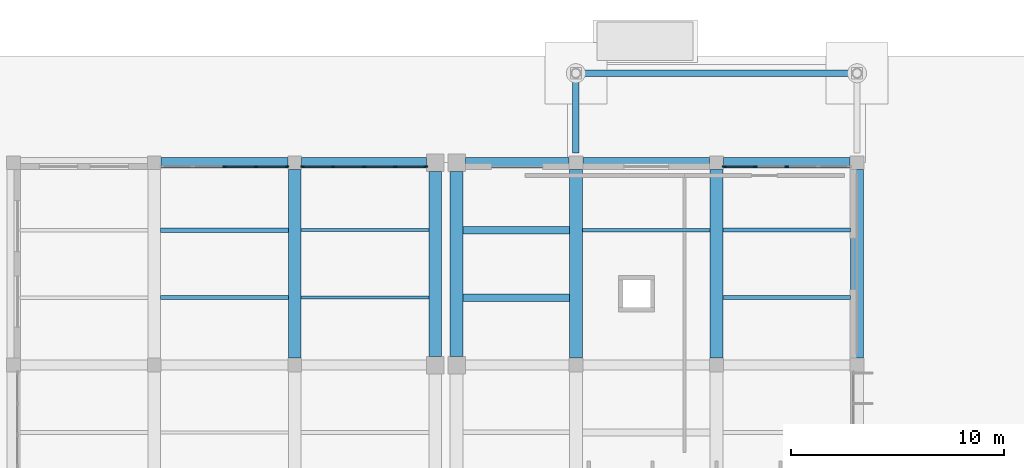
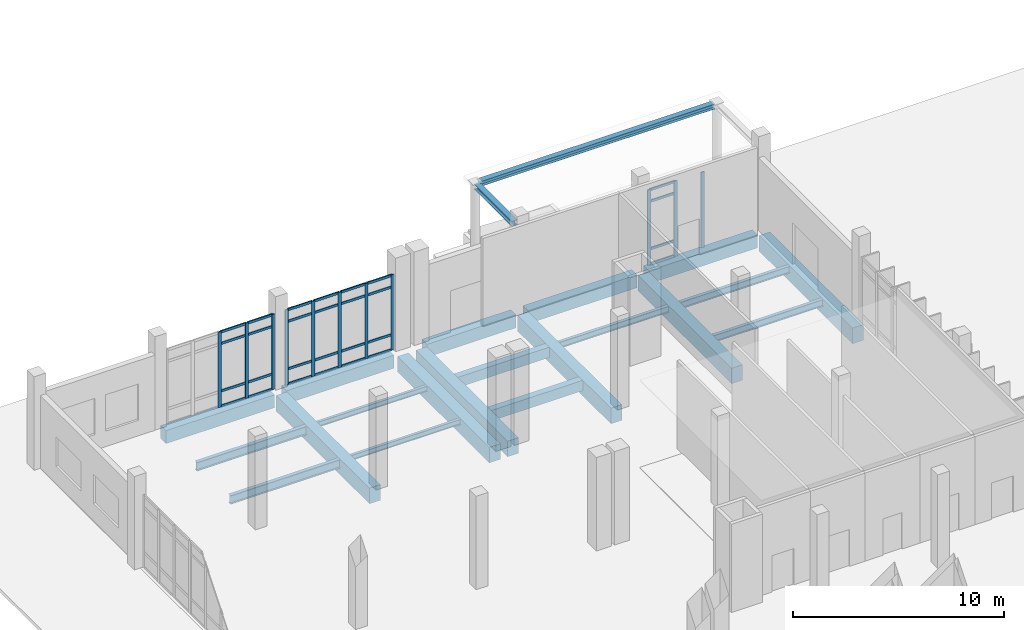
# One storey, part 33 of 79: 39 members, 22 beams, 3 elements without a shape of their own.
"""IFC4 building model written with IfcOpenShell, lengths in metres."""

from ifc_helpers import new_model, si_unit, direction, frame, origin, origin_2d, place, context, subcontext, project, spatial, rectangle, i_section, extrude, material, layer, layer_set, material_profile, profile_set, type_object, element, aggregate, save


model = new_model("IFC4")

# Units and contexts
model_context = context("Model", 3, precision=1e-05, world=origin(), true_north=direction((0.0, 1.0)))
body_context = subcontext(model_context, "Body", "Model", "MODEL_VIEW")
ifc_project = project(units=[si_unit("LENGTHUNIT", "METRE"), si_unit("AREAUNIT", "SQUARE_METRE"), si_unit("VOLUMEUNIT", "CUBIC_METRE"), si_unit("PLANEANGLEUNIT", "RADIAN"), si_unit("MASSUNIT", "GRAM", prefix="KILO")], contexts=[model_context])

# Site, building, storey
site_placement = place(None, origin())
site = spatial("IfcSite", under=ifc_project, at=site_placement, CompositionType="ELEMENT")
building_placement = place(site_placement, origin())
building = spatial("IfcBuilding", under=site, at=building_placement, Name="Kelarvand Opera House", CompositionType="ELEMENT")
storey_placement = place(building_placement, origin())
storey = spatial("IfcBuildingStorey", under=building, at=storey_placement, Name="L00", CompositionType="ELEMENT", Elevation=0.0)

# Curtain wall, members
ifc_material_1 = material(Name="Thermally broken aluminium and low-E glazing", Category="aluminium")
ifc_layer_1 = layer(ifc_material_1, 0.179931640625, Name="Thermally broken aluminium and low-E glazing", Category="aluminium")
ifc_layer_set_1 = layer_set([ifc_layer_1], Name="Thermally broken aluminium and low-E glazing")
curtain_wall_type_1 = type_object("IfcCurtainWallType", Name="Unitised Low-E Curtain Wall 5930x4350 Mod 1450 CWF-39", PredefinedType="USERDEFINED", material=ifc_layer_set_1)
curtain_wall_1_placement = place(storey_placement, origin())
curtain_wall_1 = element("IfcCurtainWall", 1, at=curtain_wall_1_placement, inside=storey, type_object=curtain_wall_type_1, Name="V5 L00 Curtain Wall CWF-39 (167)", ObjectType="UNITISED CURTAIN WALL", PredefinedType="USERDEFINED")
ifc_material_2 = material(Name="Thermally broken anodised aluminium", Category="aluminium")
ifc_material_profile_1 = material_profile(ifc_material_2, rectangle(XDim=0.06494140625, YDim=0.179931640625, at=origin_2d()), Name="ALU MULLION 65x180", Category="aluminium")
ifc_profile_set_1 = profile_set([ifc_material_profile_1], Name="Thermally broken anodised aluminium")
member_type_1 = type_object("IfcMemberType", Name="Curtain Wall Mullion 65x180 Aluminium", PredefinedType="MULLION", material=ifc_profile_set_1)
member_1_placement = place(storey_placement, frame((105.5, 124.820068359375, 0.0), z_axis=(0.0, 0.0, 1.0), x_axis=(0.0, 1.0, 0.0)))
member_1 = element("IfcMember", 2, at=member_1_placement, type_object=member_type_1, Name="CWF-39 mullion 3", PredefinedType="MULLION", context=body_context, shape_type="SweptSolid", body=[
    extrude(rectangle(XDim=0.06494140625, YDim=0.179931640625, at=origin_2d()), origin(), (0.0, 0.0, 1.0), 4.35009765625),
])
member_2_placement = place(storey_placement, frame((106.982421875, 124.820068359375, 0.0), z_axis=(0.0, 0.0, 1.0), x_axis=(0.0, 1.0, 0.0)))
member_2 = element("IfcMember", 3, at=member_2_placement, type_object=member_type_1, Name="CWF-39 mullion 4", PredefinedType="MULLION", context=body_context, shape_type="SweptSolid", body=[
    extrude(rectangle(XDim=0.06494140625, YDim=0.179931640625, at=origin_2d()), origin(), (0.0, 0.0, 1.0), 4.35009765625),
])
member_3_placement = place(storey_placement, frame((108.4326171875, 124.820068359375, 0.0), z_axis=(0.0, 0.0, 1.0), x_axis=(0.0, 1.0, 0.0)))
member_3 = element("IfcMember", 4, at=member_3_placement, type_object=member_type_1, Name="CWF-39 mullion 5", PredefinedType="MULLION", context=body_context, shape_type="SweptSolid", body=[
    extrude(rectangle(XDim=0.06494140625, YDim=0.179931640625, at=origin_2d()), origin(), (0.0, 0.0, 1.0), 4.35009765625),
])

ifc_layer_2 = layer(ifc_material_1, 0.179931640625, Name="Thermally broken aluminium and low-E glazing", Category="aluminium")
ifc_layer_set_2 = layer_set([ifc_layer_2], Name="Thermally broken aluminium and low-E glazing")
curtain_wall_type_2 = type_object("IfcCurtainWallType", Name="Unitised Low-E Curtain Wall 5845x4350 Mod 1450 CWF-40", PredefinedType="USERDEFINED", material=ifc_layer_set_2)
curtain_wall_2_placement = place(storey_placement, origin())
curtain_wall_2 = element("IfcCurtainWall", 5, at=curtain_wall_2_placement, inside=storey, type_object=curtain_wall_type_2, Name="V5 L00 Curtain Wall CWF-40 (168)", ObjectType="UNITISED CURTAIN WALL", PredefinedType="USERDEFINED")
member_4_placement = place(storey_placement, frame((109.16748046875, 124.820068359375, 0.0), z_axis=(0.0, 0.0, 1.0), x_axis=(0.0, 1.0, 0.0)))
member_4 = element("IfcMember", 6, at=member_4_placement, type_object=member_type_1, Name="CWF-40 mullion 1", PredefinedType="MULLION", context=body_context, shape_type="SweptSolid", body=[
    extrude(rectangle(XDim=0.06494140625, YDim=0.179931640625, at=origin_2d()), origin(), (0.0, 0.0, 1.0), 4.35009765625),
])
member_5_placement = place(storey_placement, frame((110.59619140625, 124.820068359375, 0.0), z_axis=(0.0, 0.0, 1.0), x_axis=(0.0, 1.0, 0.0)))
member_5 = element("IfcMember", 7, at=member_5_placement, type_object=member_type_1, Name="CWF-40 mullion 2", PredefinedType="MULLION", context=body_context, shape_type="SweptSolid", body=[
    extrude(rectangle(XDim=0.06494140625, YDim=0.179931640625, at=origin_2d()), origin(), (0.0, 0.0, 1.0), 4.35009765625),
])
member_6_placement = place(storey_placement, frame((112.0576171875, 124.820068359375, 0.0), z_axis=(0.0, 0.0, 1.0), x_axis=(0.0, 1.0, 0.0)))
member_6 = element("IfcMember", 8, at=member_6_placement, type_object=member_type_1, Name="CWF-40 mullion 3", PredefinedType="MULLION", context=body_context, shape_type="SweptSolid", body=[
    extrude(rectangle(XDim=0.06494140625, YDim=0.179931640625, at=origin_2d()), origin(), (0.0, 0.0, 1.0), 4.35009765625),
])
member_7_placement = place(storey_placement, frame((113.518798828125, 124.820068359375, 0.0), z_axis=(0.0, 0.0, 1.0), x_axis=(0.0, 1.0, 0.0)))
member_7 = element("IfcMember", 9, at=member_7_placement, type_object=member_type_1, Name="CWF-40 mullion 4", PredefinedType="MULLION", context=body_context, shape_type="SweptSolid", body=[
    extrude(rectangle(XDim=0.06494140625, YDim=0.179931640625, at=origin_2d()), origin(), (0.0, 0.0, 1.0), 4.35009765625),
])
member_8_placement = place(storey_placement, frame((114.947509765625, 124.820068359375, 0.0), z_axis=(0.0, 0.0, 1.0), x_axis=(0.0, 1.0, 0.0)))
member_8 = element("IfcMember", 10, at=member_8_placement, type_object=member_type_1, Name="CWF-40 mullion 5", PredefinedType="MULLION", context=body_context, shape_type="SweptSolid", body=[
    extrude(rectangle(XDim=0.06494140625, YDim=0.179931640625, at=origin_2d()), origin(), (0.0, 0.0, 1.0), 4.35009765625),
])

curtain_wall_3_placement = place(storey_placement, origin())
curtain_wall_3 = element("IfcCurtainWall", 11, at=curtain_wall_3_placement, inside=storey, type_object=curtain_wall_type_1, Name="V5 L00 Curtain Wall CWF-39 (169)", ObjectType="UNITISED CURTAIN WALL", PredefinedType="USERDEFINED")
member_9_placement = place(storey_placement, frame((128.967529296875, 124.820068359375, 0.0), z_axis=(0.0, 0.0, 1.0), x_axis=(0.0, 1.0, 0.0)))
member_9 = element("IfcMember", 12, at=member_9_placement, type_object=member_type_1, Name="CWF-39 mullion 1", PredefinedType="MULLION", context=body_context, shape_type="SweptSolid", body=[
    extrude(rectangle(XDim=0.06494140625, YDim=0.179931640625, at=origin_2d()), origin(), (0.0, 0.0, 1.0), 4.35009765625),
])
member_10_placement = place(storey_placement, frame((130.41748046875, 124.820068359375, 0.0), z_axis=(0.0, 0.0, 1.0), x_axis=(0.0, 1.0, 0.0)))
member_10 = element("IfcMember", 13, at=member_10_placement, type_object=member_type_1, Name="CWF-39 mullion 2", PredefinedType="MULLION", context=body_context, shape_type="SweptSolid", body=[
    extrude(rectangle(XDim=0.06494140625, YDim=0.179931640625, at=origin_2d()), origin(), (0.0, 0.0, 1.0), 4.35009765625),
])
member_11_placement = place(storey_placement, frame((131.89990234375, 124.820068359375, 0.0), z_axis=(0.0, 0.0, 1.0), x_axis=(0.0, 1.0, 0.0)))
member_11 = element("IfcMember", 14, at=member_11_placement, type_object=member_type_1, Name="CWF-39 mullion 3", PredefinedType="MULLION", context=body_context, shape_type="SweptSolid", body=[
    extrude(rectangle(XDim=0.06494140625, YDim=0.179931640625, at=origin_2d()), origin(), (0.0, 0.0, 1.0), 4.35009765625),
])

# Member
ifc_material_profile_2 = material_profile(ifc_material_2, rectangle(XDim=0.06494140625, YDim=0.139892578125, at=origin_2d()), Name="ALU TRANSOM 65x140", Category="aluminium")
ifc_profile_set_2 = profile_set([ifc_material_profile_2], Name="Thermally broken anodised aluminium")
member_type_2 = type_object("IfcMemberType", Name="Curtain Wall Transom 65x140 Aluminium", PredefinedType="USERDEFINED", material=ifc_profile_set_2)
member_12_placement = place(storey_placement, frame((105.532470703125, 124.820068359375, 0.032470703125), z_axis=(1.0, 0.0, 0.0), x_axis=(0.0, 1.0, 0.0)))
member_12 = element("IfcMember", 15, at=member_12_placement, type_object=member_type_2, Name="CWF-39 transom 3.1", ObjectType="TRANSOM", PredefinedType="USERDEFINED", context=body_context, shape_type="SweptSolid", body=[
    extrude(rectangle(XDim=0.06494140625, YDim=0.139892578125, at=origin_2d()), origin(), (0.0, 0.0, 1.0), 1.41748046875),
])

member_13_placement = place(storey_placement, frame((105.532470703125, 124.820068359375, 0.89990234375), z_axis=(1.0, 0.0, 0.0), x_axis=(0.0, 1.0, 0.0)))
member_13 = element("IfcMember", 16, at=member_13_placement, type_object=member_type_2, Name="CWF-39 transom 3.2", ObjectType="TRANSOM", PredefinedType="USERDEFINED", context=body_context, shape_type="SweptSolid", body=[
    extrude(rectangle(XDim=0.06494140625, YDim=0.139892578125, at=origin_2d()), origin(), (0.0, 0.0, 1.0), 1.41748046875),
])

member_14_placement = place(storey_placement, frame((105.532470703125, 124.820068359375, 3.64990234375), z_axis=(1.0, 0.0, 0.0), x_axis=(0.0, 1.0, 0.0)))
member_14 = element("IfcMember", 17, at=member_14_placement, type_object=member_type_2, Name="CWF-39 transom 3.3", ObjectType="TRANSOM", PredefinedType="USERDEFINED", context=body_context, shape_type="SweptSolid", body=[
    extrude(rectangle(XDim=0.06494140625, YDim=0.139892578125, at=origin_2d()), origin(), (0.0, 0.0, 1.0), 1.41748046875),
])

member_15_placement = place(storey_placement, frame((105.532470703125, 124.820068359375, 4.3173828125), z_axis=(1.0, 0.0, 0.0), x_axis=(0.0, 1.0, 0.0)))
member_15 = element("IfcMember", 18, at=member_15_placement, type_object=member_type_2, Name="CWF-39 transom 3.4", ObjectType="TRANSOM", PredefinedType="USERDEFINED", context=body_context, shape_type="SweptSolid", body=[
    extrude(rectangle(XDim=0.06494140625, YDim=0.139892578125, at=origin_2d()), origin(), (0.0, 0.0, 1.0), 1.41748046875),
])

member_16_placement = place(storey_placement, frame((107.014892578125, 124.820068359375, 0.032470703125), z_axis=(1.0, 0.0, 0.0), x_axis=(0.0, 1.0, 0.0)))
member_16 = element("IfcMember", 19, at=member_16_placement, type_object=member_type_2, Name="CWF-39 transom 4.1", ObjectType="TRANSOM", PredefinedType="USERDEFINED", context=body_context, shape_type="SweptSolid", body=[
    extrude(rectangle(XDim=0.06494140625, YDim=0.139892578125, at=origin_2d()), origin(), (0.0, 0.0, 1.0), 1.385009765625),
])

member_17_placement = place(storey_placement, frame((107.014892578125, 124.820068359375, 0.89990234375), z_axis=(1.0, 0.0, 0.0), x_axis=(0.0, 1.0, 0.0)))
member_17 = element("IfcMember", 20, at=member_17_placement, type_object=member_type_2, Name="CWF-39 transom 4.2", ObjectType="TRANSOM", PredefinedType="USERDEFINED", context=body_context, shape_type="SweptSolid", body=[
    extrude(rectangle(XDim=0.06494140625, YDim=0.139892578125, at=origin_2d()), origin(), (0.0, 0.0, 1.0), 1.385009765625),
])

member_18_placement = place(storey_placement, frame((107.014892578125, 124.820068359375, 3.64990234375), z_axis=(1.0, 0.0, 0.0), x_axis=(0.0, 1.0, 0.0)))
member_18 = element("IfcMember", 21, at=member_18_placement, type_object=member_type_2, Name="CWF-39 transom 4.3", ObjectType="TRANSOM", PredefinedType="USERDEFINED", context=body_context, shape_type="SweptSolid", body=[
    extrude(rectangle(XDim=0.06494140625, YDim=0.139892578125, at=origin_2d()), origin(), (0.0, 0.0, 1.0), 1.385009765625),
])

member_19_placement = place(storey_placement, frame((107.014892578125, 124.820068359375, 4.3173828125), z_axis=(1.0, 0.0, 0.0), x_axis=(0.0, 1.0, 0.0)))
member_19 = element("IfcMember", 22, at=member_19_placement, type_object=member_type_2, Name="CWF-39 transom 4.4", ObjectType="TRANSOM", PredefinedType="USERDEFINED", context=body_context, shape_type="SweptSolid", body=[
    extrude(rectangle(XDim=0.06494140625, YDim=0.139892578125, at=origin_2d()), origin(), (0.0, 0.0, 1.0), 1.385009765625),
])

aggregate(curtain_wall_1, [member_1, member_2, member_3, member_12, member_13, member_14, member_15, member_16, member_17, member_18, member_19])

member_20_placement = place(storey_placement, frame((109.199951171875, 124.820068359375, 0.032470703125), z_axis=(1.0, 0.0, 0.0), x_axis=(0.0, 1.0, 0.0)))
member_20 = element("IfcMember", 23, at=member_20_placement, type_object=member_type_2, Name="CWF-40 transom 1.1", ObjectType="TRANSOM", PredefinedType="USERDEFINED", context=body_context, shape_type="SweptSolid", body=[
    extrude(rectangle(XDim=0.06494140625, YDim=0.139892578125, at=origin_2d()), origin(), (0.0, 0.0, 1.0), 1.36376953125),
])

member_21_placement = place(storey_placement, frame((109.199951171875, 124.820068359375, 0.89990234375), z_axis=(1.0, 0.0, 0.0), x_axis=(0.0, 1.0, 0.0)))
member_21 = element("IfcMember", 24, at=member_21_placement, type_object=member_type_2, Name="CWF-40 transom 1.2", ObjectType="TRANSOM", PredefinedType="USERDEFINED", context=body_context, shape_type="SweptSolid", body=[
    extrude(rectangle(XDim=0.06494140625, YDim=0.139892578125, at=origin_2d()), origin(), (0.0, 0.0, 1.0), 1.36376953125),
])

member_22_placement = place(storey_placement, frame((109.199951171875, 124.820068359375, 3.64990234375), z_axis=(1.0, 0.0, 0.0), x_axis=(0.0, 1.0, 0.0)))
member_22 = element("IfcMember", 25, at=member_22_placement, type_object=member_type_2, Name="CWF-40 transom 1.3", ObjectType="TRANSOM", PredefinedType="USERDEFINED", context=body_context, shape_type="SweptSolid", body=[
    extrude(rectangle(XDim=0.06494140625, YDim=0.139892578125, at=origin_2d()), origin(), (0.0, 0.0, 1.0), 1.36376953125),
])

member_23_placement = place(storey_placement, frame((109.199951171875, 124.820068359375, 4.3173828125), z_axis=(1.0, 0.0, 0.0), x_axis=(0.0, 1.0, 0.0)))
member_23 = element("IfcMember", 26, at=member_23_placement, type_object=member_type_2, Name="CWF-40 transom 1.4", ObjectType="TRANSOM", PredefinedType="USERDEFINED", context=body_context, shape_type="SweptSolid", body=[
    extrude(rectangle(XDim=0.06494140625, YDim=0.139892578125, at=origin_2d()), origin(), (0.0, 0.0, 1.0), 1.36376953125),
])

member_24_placement = place(storey_placement, frame((110.628662109375, 124.820068359375, 0.032470703125), z_axis=(1.0, 0.0, 0.0), x_axis=(0.0, 1.0, 0.0)))
member_24 = element("IfcMember", 27, at=member_24_placement, type_object=member_type_2, Name="CWF-40 transom 2.1", ObjectType="TRANSOM", PredefinedType="USERDEFINED", context=body_context, shape_type="SweptSolid", body=[
    extrude(rectangle(XDim=0.06494140625, YDim=0.139892578125, at=origin_2d()), origin(), (0.0, 0.0, 1.0), 1.396240234375),
])

member_25_placement = place(storey_placement, frame((110.628662109375, 124.820068359375, 0.89990234375), z_axis=(1.0, 0.0, 0.0), x_axis=(0.0, 1.0, 0.0)))
member_25 = element("IfcMember", 28, at=member_25_placement, type_object=member_type_2, Name="CWF-40 transom 2.2", ObjectType="TRANSOM", PredefinedType="USERDEFINED", context=body_context, shape_type="SweptSolid", body=[
    extrude(rectangle(XDim=0.06494140625, YDim=0.139892578125, at=origin_2d()), origin(), (0.0, 0.0, 1.0), 1.396240234375),
])

member_26_placement = place(storey_placement, frame((110.628662109375, 124.820068359375, 3.64990234375), z_axis=(1.0, 0.0, 0.0), x_axis=(0.0, 1.0, 0.0)))
member_26 = element("IfcMember", 29, at=member_26_placement, type_object=member_type_2, Name="CWF-40 transom 2.3", ObjectType="TRANSOM", PredefinedType="USERDEFINED", context=body_context, shape_type="SweptSolid", body=[
    extrude(rectangle(XDim=0.06494140625, YDim=0.139892578125, at=origin_2d()), origin(), (0.0, 0.0, 1.0), 1.396240234375),
])

member_27_placement = place(storey_placement, frame((110.628662109375, 124.820068359375, 4.3173828125), z_axis=(1.0, 0.0, 0.0), x_axis=(0.0, 1.0, 0.0)))
member_27 = element("IfcMember", 30, at=member_27_placement, type_object=member_type_2, Name="CWF-40 transom 2.4", ObjectType="TRANSOM", PredefinedType="USERDEFINED", context=body_context, shape_type="SweptSolid", body=[
    extrude(rectangle(XDim=0.06494140625, YDim=0.139892578125, at=origin_2d()), origin(), (0.0, 0.0, 1.0), 1.396240234375),
])

member_28_placement = place(storey_placement, frame((112.090087890625, 124.820068359375, 0.032470703125), z_axis=(1.0, 0.0, 0.0), x_axis=(0.0, 1.0, 0.0)))
member_28 = element("IfcMember", 31, at=member_28_placement, type_object=member_type_2, Name="CWF-40 transom 3.1", ObjectType="TRANSOM", PredefinedType="USERDEFINED", context=body_context, shape_type="SweptSolid", body=[
    extrude(rectangle(XDim=0.06494140625, YDim=0.139892578125, at=origin_2d()), origin(), (0.0, 0.0, 1.0), 1.396240234375),
])

member_29_placement = place(storey_placement, frame((112.090087890625, 124.820068359375, 0.89990234375), z_axis=(1.0, 0.0, 0.0), x_axis=(0.0, 1.0, 0.0)))
member_29 = element("IfcMember", 32, at=member_29_placement, type_object=member_type_2, Name="CWF-40 transom 3.2", ObjectType="TRANSOM", PredefinedType="USERDEFINED", context=body_context, shape_type="SweptSolid", body=[
    extrude(rectangle(XDim=0.06494140625, YDim=0.139892578125, at=origin_2d()), origin(), (0.0, 0.0, 1.0), 1.396240234375),
])

member_30_placement = place(storey_placement, frame((112.090087890625, 124.820068359375, 3.64990234375), z_axis=(1.0, 0.0, 0.0), x_axis=(0.0, 1.0, 0.0)))
member_30 = element("IfcMember", 33, at=member_30_placement, type_object=member_type_2, Name="CWF-40 transom 3.3", ObjectType="TRANSOM", PredefinedType="USERDEFINED", context=body_context, shape_type="SweptSolid", body=[
    extrude(rectangle(XDim=0.06494140625, YDim=0.139892578125, at=origin_2d()), origin(), (0.0, 0.0, 1.0), 1.396240234375),
])

member_31_placement = place(storey_placement, frame((112.090087890625, 124.820068359375, 4.3173828125), z_axis=(1.0, 0.0, 0.0), x_axis=(0.0, 1.0, 0.0)))
member_31 = element("IfcMember", 34, at=member_31_placement, type_object=member_type_2, Name="CWF-40 transom 3.4", ObjectType="TRANSOM", PredefinedType="USERDEFINED", context=body_context, shape_type="SweptSolid", body=[
    extrude(rectangle(XDim=0.06494140625, YDim=0.139892578125, at=origin_2d()), origin(), (0.0, 0.0, 1.0), 1.396240234375),
])

member_32_placement = place(storey_placement, frame((113.55126953125, 124.820068359375, 0.032470703125), z_axis=(1.0, 0.0, 0.0), x_axis=(0.0, 1.0, 0.0)))
member_32 = element("IfcMember", 35, at=member_32_placement, type_object=member_type_2, Name="CWF-40 transom 4.1", ObjectType="TRANSOM", PredefinedType="USERDEFINED", context=body_context, shape_type="SweptSolid", body=[
    extrude(rectangle(XDim=0.06494140625, YDim=0.139892578125, at=origin_2d()), origin(), (0.0, 0.0, 1.0), 1.36376953125),
])

member_33_placement = place(storey_placement, frame((113.55126953125, 124.820068359375, 0.89990234375), z_axis=(1.0, 0.0, 0.0), x_axis=(0.0, 1.0, 0.0)))
member_33 = element("IfcMember", 36, at=member_33_placement, type_object=member_type_2, Name="CWF-40 transom 4.2", ObjectType="TRANSOM", PredefinedType="USERDEFINED", context=body_context, shape_type="SweptSolid", body=[
    extrude(rectangle(XDim=0.06494140625, YDim=0.139892578125, at=origin_2d()), origin(), (0.0, 0.0, 1.0), 1.36376953125),
])

member_34_placement = place(storey_placement, frame((113.55126953125, 124.820068359375, 3.64990234375), z_axis=(1.0, 0.0, 0.0), x_axis=(0.0, 1.0, 0.0)))
member_34 = element("IfcMember", 37, at=member_34_placement, type_object=member_type_2, Name="CWF-40 transom 4.3", ObjectType="TRANSOM", PredefinedType="USERDEFINED", context=body_context, shape_type="SweptSolid", body=[
    extrude(rectangle(XDim=0.06494140625, YDim=0.139892578125, at=origin_2d()), origin(), (0.0, 0.0, 1.0), 1.36376953125),
])

member_35_placement = place(storey_placement, frame((113.55126953125, 124.820068359375, 4.3173828125), z_axis=(1.0, 0.0, 0.0), x_axis=(0.0, 1.0, 0.0)))
member_35 = element("IfcMember", 38, at=member_35_placement, type_object=member_type_2, Name="CWF-40 transom 4.4", ObjectType="TRANSOM", PredefinedType="USERDEFINED", context=body_context, shape_type="SweptSolid", body=[
    extrude(rectangle(XDim=0.06494140625, YDim=0.139892578125, at=origin_2d()), origin(), (0.0, 0.0, 1.0), 1.36376953125),
])

aggregate(curtain_wall_2, [member_4, member_5, member_6, member_7, member_8, member_20, member_21, member_22, member_23, member_24, member_25, member_26, member_27, member_28, member_29, member_30, member_31, member_32, member_33, member_34, member_35])

member_36_placement = place(storey_placement, frame((129.0, 124.820068359375, 0.032470703125), z_axis=(1.0, 0.0, 0.0), x_axis=(0.0, 1.0, 0.0)))
member_36 = element("IfcMember", 39, at=member_36_placement, type_object=member_type_2, Name="CWF-39 transom 1.1", ObjectType="TRANSOM", PredefinedType="USERDEFINED", context=body_context, shape_type="SweptSolid", body=[
    extrude(rectangle(XDim=0.06494140625, YDim=0.139892578125, at=origin_2d()), origin(), (0.0, 0.0, 1.0), 1.385009765625),
])

member_37_placement = place(storey_placement, frame((129.0, 124.820068359375, 0.89990234375), z_axis=(1.0, 0.0, 0.0), x_axis=(0.0, 1.0, 0.0)))
member_37 = element("IfcMember", 40, at=member_37_placement, type_object=member_type_2, Name="CWF-39 transom 1.2", ObjectType="TRANSOM", PredefinedType="USERDEFINED", context=body_context, shape_type="SweptSolid", body=[
    extrude(rectangle(XDim=0.06494140625, YDim=0.139892578125, at=origin_2d()), origin(), (0.0, 0.0, 1.0), 1.385009765625),
])

member_38_placement = place(storey_placement, frame((129.0, 124.820068359375, 3.64990234375), z_axis=(1.0, 0.0, 0.0), x_axis=(0.0, 1.0, 0.0)))
member_38 = element("IfcMember", 41, at=member_38_placement, type_object=member_type_2, Name="CWF-39 transom 1.3", ObjectType="TRANSOM", PredefinedType="USERDEFINED", context=body_context, shape_type="SweptSolid", body=[
    extrude(rectangle(XDim=0.06494140625, YDim=0.139892578125, at=origin_2d()), origin(), (0.0, 0.0, 1.0), 1.385009765625),
])

member_39_placement = place(storey_placement, frame((129.0, 124.820068359375, 4.3173828125), z_axis=(1.0, 0.0, 0.0), x_axis=(0.0, 1.0, 0.0)))
member_39 = element("IfcMember", 42, at=member_39_placement, type_object=member_type_2, Name="CWF-39 transom 1.4", ObjectType="TRANSOM", PredefinedType="USERDEFINED", context=body_context, shape_type="SweptSolid", body=[
    extrude(rectangle(XDim=0.06494140625, YDim=0.139892578125, at=origin_2d()), origin(), (0.0, 0.0, 1.0), 1.385009765625),
])

aggregate(curtain_wall_3, [member_9, member_10, member_11, member_36, member_37, member_38, member_39])

# Beams
ifc_material_3 = material(Name="Steel S355", Category="steel")
ifc_material_profile_3 = material_profile(ifc_material_3, i_section(OverallWidth=0.300048828125, OverallDepth=0.2900390625, WebThickness=0.008544921875, FlangeThickness=0.013916015625, at=origin_2d()), Name="HEA 300", Category="steel")
ifc_profile_set_3 = profile_set([ifc_material_profile_3], Name="Steel S355")
beam_type_1 = type_object("IfcBeamType", Name="Structural Beam HEA 300 BM-HEA300E", PredefinedType="BEAM", material=ifc_profile_set_3)
beam_1_placement = place(storey_placement, frame((122.159912109375, 129.199951171875, 4.455078125), z_axis=(1.0, 0.0, 0.0), x_axis=(0.0, 1.0, 0.0)))
element("IfcBeam", 43, at=beam_1_placement, inside=storey, type_object=beam_type_1, Name="Park Entrance Canopy Beam 1", PredefinedType="BEAM", context=body_context, shape_type="SweptSolid", body=[
    extrude(i_section(OverallWidth=0.300048828125, OverallDepth=0.2900390625, WebThickness=0.008544921875, FlangeThickness=0.013916015625, at=origin_2d()), origin(), (0.0, 0.0, 1.0), 12.880126953125),
])
beam_2_placement = place(storey_placement, frame((122.0, 125.449951171875, 4.455078125), z_axis=(0.0, 1.0, 0.0), x_axis=(-1.0, 0.0, 0.0)))
element("IfcBeam", 44, at=beam_2_placement, inside=storey, type_object=beam_type_1, Name="Park Entrance Canopy Beam 2", PredefinedType="BEAM", context=body_context, shape_type="SweptSolid", body=[
    extrude(i_section(OverallWidth=0.300048828125, OverallDepth=0.2900390625, WebThickness=0.008544921875, FlangeThickness=0.013916015625, at=origin_2d()), origin(), (0.0, 0.0, 1.0), 3.590087890625),
])
ifc_material_4 = material(Name="Concrete C35/45", Category="concrete")
ifc_material_profile_4 = material_profile(ifc_material_4, rectangle(XDim=0.35009765625, YDim=0.60009765625, at=origin_2d()), Name="RC 350x600", Category="concrete")
ifc_profile_set_4 = profile_set([ifc_material_profile_4], Name="Concrete C35/45")
beam_type_2 = type_object("IfcBeamType", Name="Structural Beam RC 350x600 BM-RC350x600", PredefinedType="BEAM", material=ifc_profile_set_4)
for number, where, z_axis, x_axis, name in (
    (45, (116.699951171875, 118.666748046875, -0.60009765625), (1.0, 0.0, 0.0), (0.0, 1.0, 0.0), "V5 L00 Beam BM-RC350x600"),
    (46, (116.699951171875, 121.833251953125, -0.60009765625), (1.0, 0.0, 0.0), (0.0, 1.0, 0.0), "V5 L00 Beam BM-RC350x600"),
):
    element("IfcBeam", number, at=place(storey_placement, frame(where, z_axis=z_axis, x_axis=x_axis)), inside=storey, type_object=beam_type_2, Name=name, PredefinedType="BEAM", context=body_context, shape_type="SweptSolid", body=[
        extrude(rectangle(XDim=0.35009765625, YDim=0.60009765625, at=origin_2d()), origin(), (0.0, 0.0, 1.0), 5.0),
    ])
ifc_material_5 = material(Name="Concrete C40/50", Category="concrete")
ifc_material_profile_5 = material_profile(ifc_material_5, rectangle(XDim=0.60009765625, YDim=0.89990234375, at=origin_2d()), Name="RC 600x900", Category="concrete")
ifc_profile_set_5 = profile_set([ifc_material_profile_5], Name="Concrete C40/50")
beam_type_3 = type_object("IfcBeamType", Name="Structural Beam RC 600x900 BM-RC600x900", PredefinedType="BEAM", material=ifc_profile_set_5)
beam_3_placement = place(storey_placement, frame((108.800048828125, 115.824951171875, -0.75), z_axis=(0.0, 1.0, 0.0), x_axis=(-1.0, 0.0, 0.0)))
element("IfcBeam", 47, at=beam_3_placement, inside=storey, type_object=beam_type_3, Name="V5 L00 Beam BM-RC600x900", PredefinedType="BEAM", context=body_context, shape_type="SweptSolid", body=[
    extrude(rectangle(XDim=0.60009765625, YDim=0.89990234375, at=origin_2d()), origin(), (0.0, 0.0, 1.0), 8.85009765625),
])
for number, where, z_axis, x_axis, name in (
    (48, (115.39990234375, 115.909912109375, -0.75), (0.0, 1.0, 0.0), (-1.0, 0.0, 0.0), "V5 L00 Beam BM-RC600x900"),
    (49, (116.39990234375, 115.909912109375, -0.75), (0.0, 1.0, 0.0), (-1.0, 0.0, 0.0), "V5 L00 Beam BM-RC600x900"),
):
    element("IfcBeam", number, at=place(storey_placement, frame(where, z_axis=z_axis, x_axis=x_axis)), inside=storey, type_object=beam_type_3, Name=name, PredefinedType="BEAM", context=body_context, shape_type="SweptSolid", body=[
        extrude(rectangle(XDim=0.60009765625, YDim=0.89990234375, at=origin_2d()), origin(), (0.0, 0.0, 1.0), 8.68017578125),
    ])
for number, where, z_axis, x_axis, name in (
    (50, (122.0, 115.824951171875, -0.75), (0.0, 1.0, 0.0), (-1.0, 0.0, 0.0), "V5 L00 Beam BM-RC600x900"),
    (51, (128.60009765625, 115.824951171875, -0.75), (0.0, 1.0, 0.0), (-1.0, 0.0, 0.0), "V5 L00 Beam BM-RC600x900"),
):
    element("IfcBeam", number, at=place(storey_placement, frame(where, z_axis=z_axis, x_axis=x_axis)), inside=storey, type_object=beam_type_3, Name=name, PredefinedType="BEAM", context=body_context, shape_type="SweptSolid", body=[
        extrude(rectangle(XDim=0.60009765625, YDim=0.89990234375, at=origin_2d()), origin(), (0.0, 0.0, 1.0), 8.85009765625),
    ])
ifc_material_profile_6 = material_profile(ifc_material_3, i_section(OverallWidth=0.14990234375, OverallDepth=0.300048828125, WebThickness=0.007080078125, FlangeThickness=0.0107421875, at=origin_2d()), Name="IPE 300", Category="steel")
ifc_profile_set_6 = profile_set([ifc_material_profile_6], Name="Steel S355")
beam_type_4 = type_object("IfcBeamType", Name="Structural Joist IPE 300 JS-IPE300", PredefinedType="JOIST", material=ifc_profile_set_6)
for number, where, z_axis, x_axis, name in (
    (52, (109.10009765625, 118.666748046875, -0.449951171875), (1.0, 0.0, 0.0), (0.0, 1.0, 0.0), "V5 L00 Beam JS-IPE300"),
    (53, (109.10009765625, 121.833251953125, -0.449951171875), (1.0, 0.0, 0.0), (0.0, 1.0, 0.0), "V5 L00 Beam JS-IPE300"),
):
    element("IfcBeam", number, at=place(storey_placement, frame(where, z_axis=z_axis, x_axis=x_axis)), inside=storey, type_object=beam_type_4, Name=name, PredefinedType="JOIST", context=body_context, shape_type="SweptSolid", body=[
        extrude(i_section(OverallWidth=0.14990234375, OverallDepth=0.300048828125, WebThickness=0.007080078125, FlangeThickness=0.0107421875, at=origin_2d()), origin(), (0.0, 0.0, 1.0), 6.0),
    ])
ifc_material_profile_7 = material_profile(ifc_material_3, i_section(OverallWidth=0.169921875, OverallDepth=0.360107421875, WebThickness=0.008056640625, FlangeThickness=0.0126953125, at=origin_2d()), Name="IPE 360", Category="steel")
ifc_profile_set_7 = profile_set([ifc_material_profile_7], Name="Steel S355")
beam_type_5 = type_object("IfcBeamType", Name="Structural Joist IPE 360 JS-IPE360", PredefinedType="JOIST", material=ifc_profile_set_7)
beam_4_placement = place(storey_placement, frame((122.300048828125, 121.833251953125, -0.47998046875), z_axis=(1.0, 0.0, 0.0), x_axis=(0.0, 1.0, 0.0)))
element("IfcBeam", 54, at=beam_4_placement, inside=storey, type_object=beam_type_5, Name="V5 L00 Beam JS-IPE360", PredefinedType="JOIST", context=body_context, shape_type="SweptSolid", body=[
    extrude(i_section(OverallWidth=0.169921875, OverallDepth=0.360107421875, WebThickness=0.008056640625, FlangeThickness=0.0126953125, at=origin_2d()), origin(), (0.0, 0.0, 1.0), 6.0),
])
ifc_material_profile_8 = material_profile(ifc_material_3, i_section(OverallWidth=0.179931640625, OverallDepth=0.39990234375, WebThickness=0.008544921875, FlangeThickness=0.013427734375, at=origin_2d()), Name="IPE 400", Category="steel")
ifc_profile_set_8 = profile_set([ifc_material_profile_8], Name="Steel S355")
beam_type_6 = type_object("IfcBeamType", Name="Structural Joist IPE 400 JS-IPE400", PredefinedType="JOIST", material=ifc_profile_set_8)
for number, where, z_axis, x_axis, name in (
    (55, (128.89990234375, 118.666748046875, -0.5), (1.0, 0.0, 0.0), (0.0, 1.0, 0.0), "V5 L00 Beam JS-IPE400"),
    (56, (128.89990234375, 121.833251953125, -0.5), (1.0, 0.0, 0.0), (0.0, 1.0, 0.0), "V5 L00 Beam JS-IPE400"),
):
    element("IfcBeam", number, at=place(storey_placement, frame(where, z_axis=z_axis, x_axis=x_axis)), inside=storey, type_object=beam_type_6, Name=name, PredefinedType="JOIST", context=body_context, shape_type="SweptSolid", body=[
        extrude(i_section(OverallWidth=0.179931640625, OverallDepth=0.39990234375, WebThickness=0.008544921875, FlangeThickness=0.013427734375, at=origin_2d()), origin(), (0.0, 0.0, 1.0), 6.0),
    ])
ifc_material_profile_9 = material_profile(ifc_material_3, i_section(OverallWidth=0.199951171875, OverallDepth=0.5, WebThickness=0.01025390625, FlangeThickness=0.01611328125, at=origin_2d()), Name="IPE 500", Category="steel")
ifc_profile_set_9 = profile_set([ifc_material_profile_9], Name="Steel S355")
beam_type_7 = type_object("IfcBeamType", Name="Structural Joist IPE 500 JS-IPE500", PredefinedType="JOIST", material=ifc_profile_set_9)
for number, where, z_axis, x_axis, name in (
    (57, (102.5, 118.666748046875, -0.550048828125), (1.0, 0.0, 0.0), (0.0, 1.0, 0.0), "V5 L00 Beam JS-IPE500"),
    (58, (102.5, 121.833251953125, -0.550048828125), (1.0, 0.0, 0.0), (0.0, 1.0, 0.0), "V5 L00 Beam JS-IPE500"),
):
    element("IfcBeam", number, at=place(storey_placement, frame(where, z_axis=z_axis, x_axis=x_axis)), inside=storey, type_object=beam_type_7, Name=name, PredefinedType="JOIST", context=body_context, shape_type="SweptSolid", body=[
        extrude(i_section(OverallWidth=0.199951171875, OverallDepth=0.5, WebThickness=0.01025390625, FlangeThickness=0.01611328125, at=origin_2d()), origin(), (0.0, 0.0, 1.0), 6.0),
    ])
ifc_material_profile_10 = material_profile(ifc_material_5, rectangle(XDim=0.5, YDim=0.75, at=origin_2d()), Name="RC 500x750", Category="concrete")
ifc_profile_set_10 = profile_set([ifc_material_profile_10], Name="Concrete C40/50")
beam_type_8 = type_object("IfcBeamType", Name="Structural Spandrel RC 500x750 SP-RC500x750E", PredefinedType="SPANDREL", material=ifc_profile_set_10)
beam_5_placement = place(storey_placement, frame((102.52490234375, 125.0, -0.675048828125), z_axis=(1.0, 0.0, 0.0), x_axis=(0.0, 1.0, 0.0)))
element("IfcBeam", 59, at=beam_5_placement, inside=storey, type_object=beam_type_8, Name="V5 L00 Beam SP-RC500x750E", PredefinedType="SPANDREL", context=body_context, shape_type="SweptSolid", body=[
    extrude(rectangle(XDim=0.5, YDim=0.75, at=origin_2d()), origin(), (0.0, 0.0, 1.0), 5.9501953125),
])
beam_6_placement = place(storey_placement, frame((109.125, 125.0, -0.675048828125), z_axis=(1.0, 0.0, 0.0), x_axis=(0.0, 1.0, 0.0)))
element("IfcBeam", 60, at=beam_6_placement, inside=storey, type_object=beam_type_8, Name="V5 L00 Beam SP-RC500x750E", PredefinedType="SPANDREL", context=body_context, shape_type="SweptSolid", body=[
    extrude(rectangle(XDim=0.5, YDim=0.75, at=origin_2d()), origin(), (0.0, 0.0, 1.0), 5.864990234375),
])
beam_7_placement = place(storey_placement, frame((116.81005859375, 125.0, -0.675048828125), z_axis=(1.0, 0.0, 0.0), x_axis=(0.0, 1.0, 0.0)))
element("IfcBeam", 61, at=beam_7_placement, inside=storey, type_object=beam_type_8, Name="V5 L00 Beam SP-RC500x750E", PredefinedType="SPANDREL", context=body_context, shape_type="SweptSolid", body=[
    extrude(rectangle(XDim=0.5, YDim=0.75, at=origin_2d()), origin(), (0.0, 0.0, 1.0), 4.864990234375),
])
for number, where, z_axis, x_axis, name in (
    (62, (122.324951171875, 125.0, -0.675048828125), (1.0, 0.0, 0.0), (0.0, 1.0, 0.0), "V5 L00 Beam SP-RC500x750E"),
    (63, (128.925048828125, 125.0, -0.675048828125), (1.0, 0.0, 0.0), (0.0, 1.0, 0.0), "V5 L00 Beam SP-RC500x750E"),
):
    element("IfcBeam", number, at=place(storey_placement, frame(where, z_axis=z_axis, x_axis=x_axis)), inside=storey, type_object=beam_type_8, Name=name, PredefinedType="SPANDREL", context=body_context, shape_type="SweptSolid", body=[
        extrude(rectangle(XDim=0.5, YDim=0.75, at=origin_2d()), origin(), (0.0, 0.0, 1.0), 5.949951171875),
    ])
ifc_material_profile_11 = material_profile(ifc_material_5, rectangle(XDim=0.60009765625, YDim=0.89990234375, at=origin_2d()), Name="RC 600x900", Category="concrete")
ifc_profile_set_11 = profile_set([ifc_material_profile_11], Name="Concrete C40/50")
beam_type_9 = type_object("IfcBeamType", Name="Structural Spandrel RC 600x900 SP-RC600x900E", PredefinedType="SPANDREL", material=ifc_profile_set_11)
beam_8_placement = place(storey_placement, frame((135.199951171875, 115.824951171875, -0.75), z_axis=(0.0, 1.0, 0.0), x_axis=(-1.0, 0.0, 0.0)))
element("IfcBeam", 64, at=beam_8_placement, inside=storey, type_object=beam_type_9, Name="V5 L00 Beam SP-RC600x900E", PredefinedType="SPANDREL", context=body_context, shape_type="SweptSolid", body=[
    extrude(rectangle(XDim=0.60009765625, YDim=0.89990234375, at=origin_2d()), origin(), (0.0, 0.0, 1.0), 8.85009765625),
])

save(model, "model.ifc")
